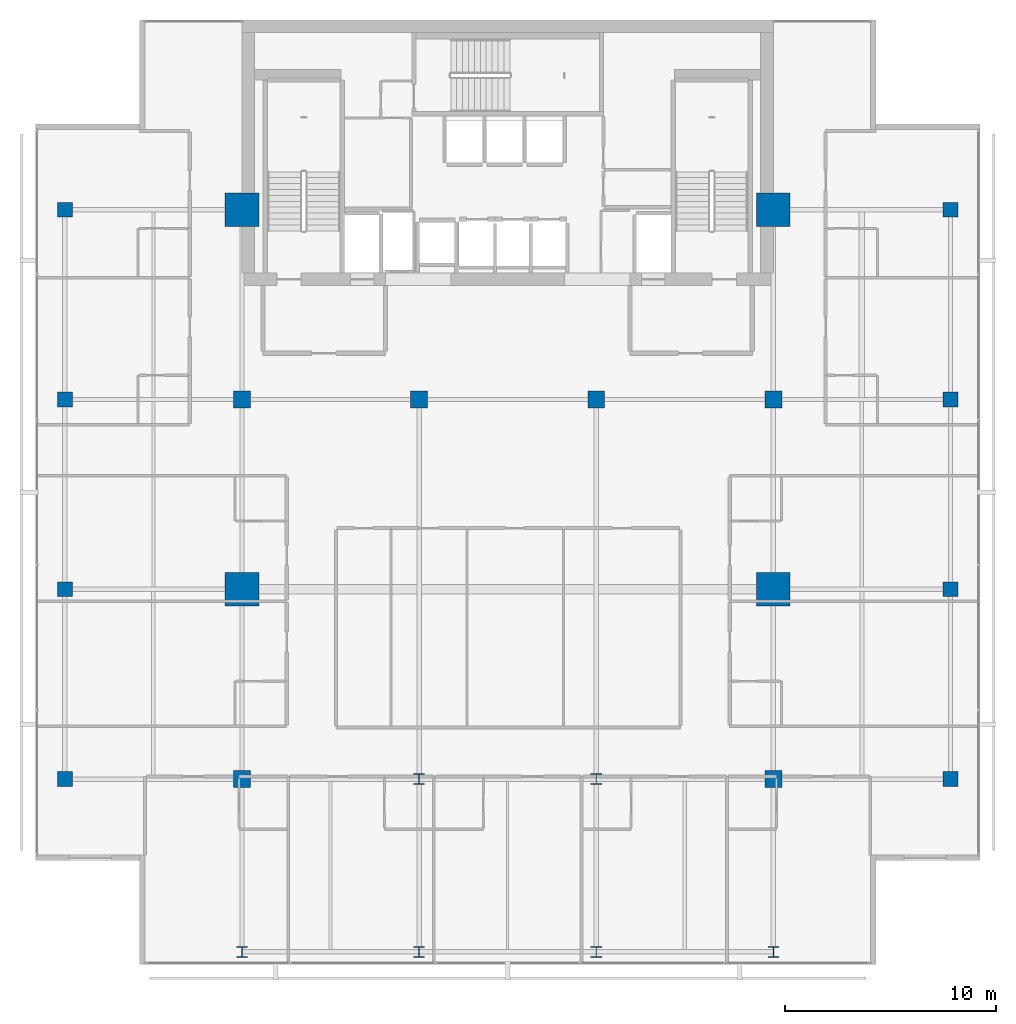
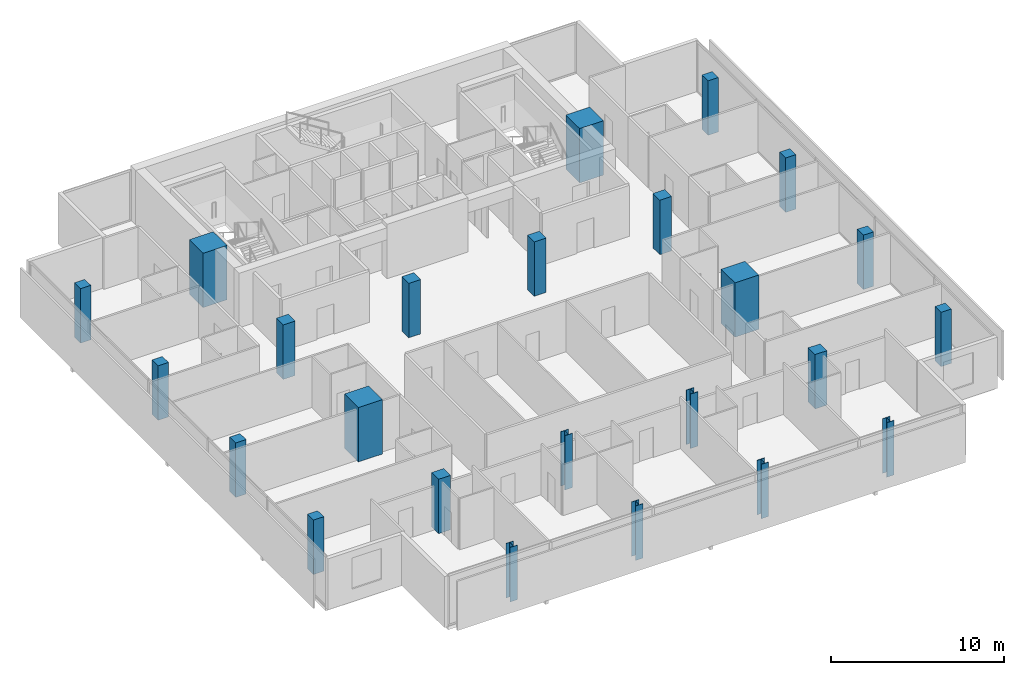
# One storey, part 1 of 25: 24 columns.
"""IFC4 building model written with IfcOpenShell, lengths in metres."""

from ifc_helpers import new_model, si_unit, direction, frame, origin, origin_2d, place, context, subcontext, project, spatial, rectangle, i_section, extrude, material, material_profile, profile_set, type_object, element, save


model = new_model("IFC4")

# Units and contexts
model_context = context("Model", 3, precision=1e-05, world=origin(), true_north=direction((0.0, 1.0)))
body_context = subcontext(model_context, "Body", "Model", "MODEL_VIEW")
ifc_project = project(units=[si_unit("LENGTHUNIT", "METRE"), si_unit("AREAUNIT", "SQUARE_METRE"), si_unit("VOLUMEUNIT", "CUBIC_METRE"), si_unit("PLANEANGLEUNIT", "RADIAN"), si_unit("MASSUNIT", "GRAM", prefix="KILO")], contexts=[model_context])

# Site, building, storey
site_placement = place(None, origin())
site = spatial("IfcSite", under=ifc_project, at=site_placement, CompositionType="ELEMENT")
building_placement = place(site_placement, origin())
building = spatial("IfcBuilding", under=site, at=building_placement, Name="Maruvema Waterfront Hotel and Observation Tower", CompositionType="ELEMENT")
storey_placement = place(building_placement, frame((0.0, 0.0, 262.5)))
storey = spatial("IfcBuildingStorey", under=building, at=storey_placement, Name="L64", CompositionType="ELEMENT", Elevation=262.5)

# Columns
ifc_material_1 = material(Name="Concrete C70/85", Category="concrete")
ifc_material_profile_1 = material_profile(ifc_material_1, rectangle(XDim=1.60009765625, YDim=1.60009765625, at=origin_2d()), Name="MC1600x1600")
ifc_profile_set_1 = profile_set([ifc_material_profile_1], Name="Concrete C70/85")
column_type_1 = type_object("IfcColumnType", Name="Continuous Mega-Column MC1600x1600", PredefinedType="COLUMN", material=ifc_profile_set_1)
for number, where, z_axis, x_axis, name in (
    (1, (25.199951171875, 27.0, 0.0), (0.0, 0.0, 1.0), (1.0, 0.0, 0.0), "L64 Continuous Mega-Column MC-01"),
    (2, (50.39990234375, 27.0, 0.0), (0.0, 0.0, 1.0), (1.0, 0.0, 0.0), "L64 Continuous Mega-Column MC-02"),
    (3, (25.199951171875, 45.0, 0.0), (0.0, 0.0, 1.0), (1.0, 0.0, 0.0), "L64 Continuous Mega-Column MC-03"),
    (4, (50.39990234375, 45.0, 0.0), (0.0, 0.0, 1.0), (1.0, 0.0, 0.0), "L64 Continuous Mega-Column MC-04"),
):
    element("IfcColumn", number, at=place(storey_placement, frame(where, z_axis=z_axis, x_axis=x_axis)), inside=storey, type_object=column_type_1, Name=name, PredefinedType="COLUMN", context=body_context, shape_type="SweptSolid", body=[
        extrude(rectangle(XDim=1.60009765625, YDim=1.60009765625, at=origin_2d()), origin(), (0.0, 0.0, 1.0), 3.85009765625),
    ])
ifc_material_2 = material(Name="Concrete C60/75", Category="concrete")
ifc_material_profile_2 = material_profile(ifc_material_2, rectangle(XDim=0.699951171875, YDim=0.699951171875, at=origin_2d()), Name="RC700x700")
ifc_profile_set_2 = profile_set([ifc_material_profile_2], Name="Concrete C60/75")
column_type_2 = type_object("IfcColumnType", Name="Reinforced Concrete Column RC700x700", PredefinedType="COLUMN", material=ifc_profile_set_2)
for number, where, z_axis, x_axis, name in (
    (5, (16.800048828125, 18.0, 0.0), (0.0, 0.0, 1.0), (1.0, 0.0, 0.0), "L64 Column C-3Y18"),
    (6, (58.800048828125, 18.0, 0.0), (0.0, 0.0, 1.0), (1.0, 0.0, 0.0), "L64 Column C-8Y18"),
    (7, (16.800048828125, 27.0, 0.0), (0.0, 0.0, 1.0), (1.0, 0.0, 0.0), "L64 Column C-3Y27"),
    (8, (58.800048828125, 27.0, 0.0), (0.0, 0.0, 1.0), (1.0, 0.0, 0.0), "L64 Column C-8Y27"),
    (9, (16.800048828125, 36.0, 0.0), (0.0, 0.0, 1.0), (1.0, 0.0, 0.0), "L64 Column C-3Y36"),
    (10, (58.800048828125, 36.0, 0.0), (0.0, 0.0, 1.0), (1.0, 0.0, 0.0), "L64 Column C-8Y36"),
    (11, (16.800048828125, 45.0, 0.0), (0.0, 0.0, 1.0), (1.0, 0.0, 0.0), "L64 Column C-3Y45"),
    (12, (58.800048828125, 45.0, 0.0), (0.0, 0.0, 1.0), (1.0, 0.0, 0.0), "L64 Column C-8Y45"),
):
    element("IfcColumn", number, at=place(storey_placement, frame(where, z_axis=z_axis, x_axis=x_axis)), inside=storey, type_object=column_type_2, Name=name, PredefinedType="COLUMN", context=body_context, shape_type="SweptSolid", body=[
        extrude(rectangle(XDim=0.699951171875, YDim=0.699951171875, at=origin_2d()), origin(), (0.0, 0.0, 1.0), 3.85009765625),
    ])
ifc_material_3 = material(Name="Concrete C60/75", Category="concrete")
ifc_material_profile_3 = material_profile(ifc_material_3, rectangle(XDim=0.800048828125, YDim=0.800048828125, at=origin_2d()), Name="RC800x800")
ifc_profile_set_3 = profile_set([ifc_material_profile_3], Name="Concrete C60/75")
column_type_3 = type_object("IfcColumnType", Name="Reinforced Concrete Column RC800x800", PredefinedType="COLUMN", material=ifc_profile_set_3)
for number, where, z_axis, x_axis, name in (
    (13, (25.199951171875, 36.0, 0.0), (0.0, 0.0, 1.0), (1.0, 0.0, 0.0), "L64 Column C-4E"),
    (14, (33.60009765625, 36.0, 0.0), (0.0, 0.0, 1.0), (1.0, 0.0, 0.0), "L64 Column C-5E"),
    (15, (42.0, 36.0, 0.0), (0.0, 0.0, 1.0), (1.0, 0.0, 0.0), "L64 Column C-6E"),
    (16, (50.39990234375, 36.0, 0.0), (0.0, 0.0, 1.0), (1.0, 0.0, 0.0), "L64 Column C-7E"),
    (17, (25.199951171875, 18.0, 0.0), (0.0, 0.0, 1.0), (1.0, 0.0, 0.0), "L64 Column C-4C"),
    (18, (50.39990234375, 18.0, 0.0), (0.0, 0.0, 1.0), (1.0, 0.0, 0.0), "L64 Column C-7C"),
):
    element("IfcColumn", number, at=place(storey_placement, frame(where, z_axis=z_axis, x_axis=x_axis)), inside=storey, type_object=column_type_3, Name=name, PredefinedType="COLUMN", context=body_context, shape_type="SweptSolid", body=[
        extrude(rectangle(XDim=0.800048828125, YDim=0.800048828125, at=origin_2d()), origin(), (0.0, 0.0, 1.0), 3.85009765625),
    ])
ifc_material_4 = material(Name="Steel ABNT NBR 7007 AR 415 (ASTM A572 Grade 50)", Category="steel")
ifc_material_profile_4 = material_profile(ifc_material_4, i_section(OverallWidth=0.5, OverallDepth=0.5, WebThickness=0.02197265625, FlangeThickness=0.031982421875, at=origin_2d()), Name="CVS500x223")
ifc_profile_set_4 = profile_set([ifc_material_profile_4], Name="Steel ABNT NBR 7007 AR 415 (ASTM A572 Grade 50)")
column_type_4 = type_object("IfcColumnType", Name="Structural Steel Column CVS500x223", PredefinedType="COLUMN", material=ifc_profile_set_4)
for number, where, z_axis, x_axis, name in (
    (19, (33.60009765625, 18.0, 0.0), (0.0, 0.0, 1.0), (1.0, 0.0, 0.0), "L64 Column C-5C"),
    (20, (42.0, 18.0, 0.0), (0.0, 0.0, 1.0), (1.0, 0.0, 0.0), "L64 Column C-6C"),
    (21, (25.199951171875, 9.800048828125, 0.0), (0.0, 0.0, 1.0), (1.0, 0.0, 0.0), "L64 Column C-Z3S4"),
    (22, (33.60009765625, 9.800048828125, 0.0), (0.0, 0.0, 1.0), (1.0, 0.0, 0.0), "L64 Column C-Z3S5"),
    (23, (42.0, 9.800048828125, 0.0), (0.0, 0.0, 1.0), (1.0, 0.0, 0.0), "L64 Column C-Z3S6"),
    (24, (50.39990234375, 9.800048828125, 0.0), (0.0, 0.0, 1.0), (1.0, 0.0, 0.0), "L64 Column C-Z3S7"),
):
    element("IfcColumn", number, at=place(storey_placement, frame(where, z_axis=z_axis, x_axis=x_axis)), inside=storey, type_object=column_type_4, Name=name, PredefinedType="COLUMN", context=body_context, shape_type="SweptSolid", body=[
        extrude(i_section(OverallWidth=0.5, OverallDepth=0.5, WebThickness=0.02197265625, FlangeThickness=0.031982421875, at=origin_2d()), origin(), (0.0, 0.0, 1.0), 3.85009765625),
    ])

save(model, "model.ifc")
